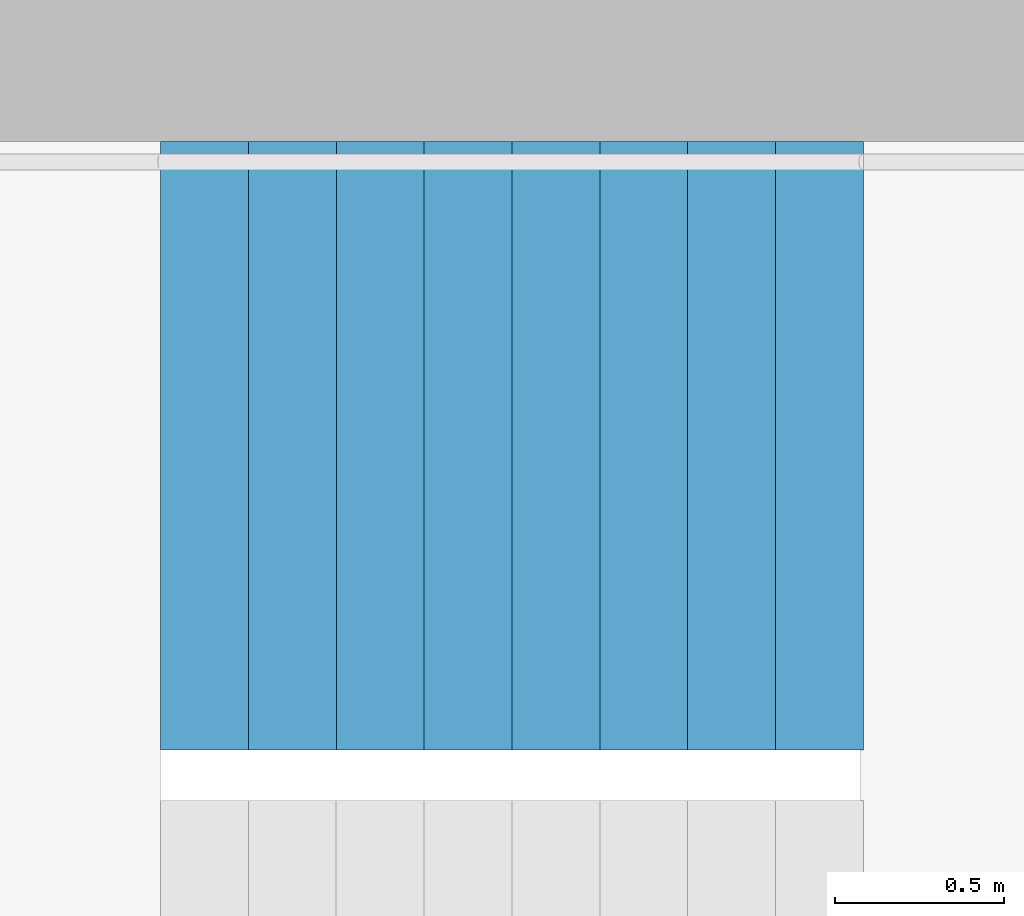
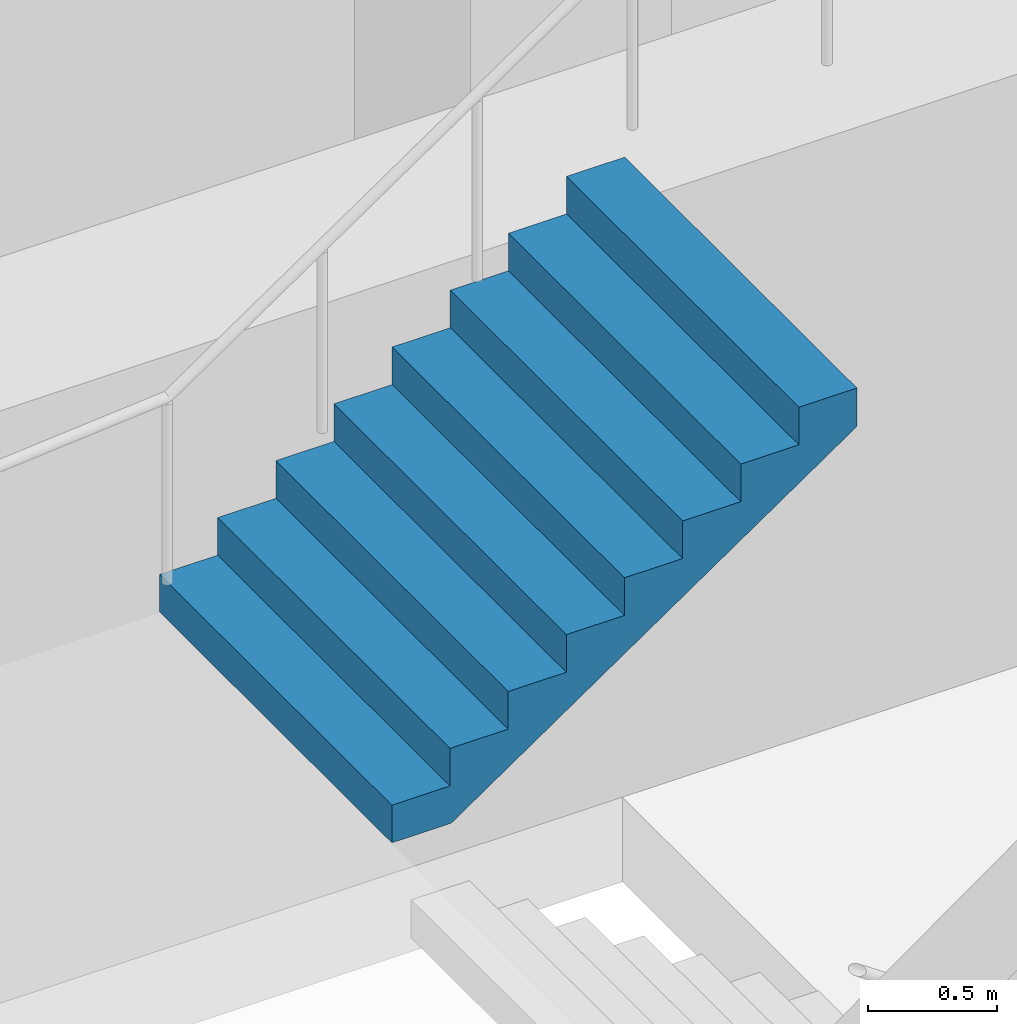
# One storey, part 27 of 34: 1 stair flight, 1 element without a shape of its own.
"""IFC4 building model written with IfcOpenShell, lengths in metres."""

from ifc_helpers import new_model, si_unit, direction, frame, origin, place, context, subcontext, project, spatial, triangles, material, type_object, element, aggregate, save


model = new_model("IFC4")

# Units and contexts
model_context = context("Model", 3, precision=1e-05, world=origin(), true_north=direction((0.0, 1.0)))
body_context = subcontext(model_context, "Body", "Model", "MODEL_VIEW")
ifc_project = project(units=[si_unit("LENGTHUNIT", "METRE"), si_unit("AREAUNIT", "SQUARE_METRE"), si_unit("VOLUMEUNIT", "CUBIC_METRE"), si_unit("PLANEANGLEUNIT", "RADIAN"), si_unit("MASSUNIT", "GRAM", prefix="KILO")], contexts=[model_context])

# Site, building, storey
site_placement = place(None, origin())
site = spatial("IfcSite", under=ifc_project, at=site_placement, CompositionType="ELEMENT")
building_placement = place(site_placement, origin())
building = spatial("IfcBuilding", under=site, at=building_placement, Name="Hakoniwa Tower and Hamabe Station Hall", CompositionType="ELEMENT")
storey_placement = place(building_placement, frame((0.0, 0.0, 107.39990234375)))
storey = spatial("IfcBuildingStorey", under=building, at=storey_placement, Name="L30", CompositionType="ELEMENT", Elevation=107.39990234375)

# Stair, stair flight
ifc_material_1 = material(Name="Concrete C40", Category="concrete")
stair_type = type_object("IfcStairType", Name="ESCAPE STAIR 1800", PredefinedType="HALF_TURN_STAIR", material=ifc_material_1)
stair_placement = place(storey_placement, origin())
stair = element("IfcStair", 1, at=stair_placement, inside=storey, type_object=stair_type, Name="Escape stair ST-3 L30", PredefinedType="HALF_TURN_STAIR")
ifc_material_2 = material(Name="Concrete C40", Category="concrete")
stair_flight_type = type_object("IfcStairFlightType", Name="STAIR FLIGHT 1800", PredefinedType="STRAIGHT", material=ifc_material_2)
stair_flight_placement = place(storey_placement, frame((22.320068359375, 6.60009765625, 1.60009765625), z_axis=(0.0, 0.0, 1.0), x_axis=(1.0, 0.0, 0.0)))
stair_flight = element("IfcStairFlight", 2, at=stair_flight_placement, type_object=stair_flight_type, Name="ST-3 flight 2", NumberOfRisers=9, NumberOfTreads=8, PredefinedType="STRAIGHT", RiserHeight=0.177777778, TreadLength=0.26, context=body_context, shape_type="Tessellation", body=[
    triangles([(0.0, 0.89990234375, 0.0), (0.260009765625, 0.89990234375, 0.0), (0.265625, 0.89990234375, 0.0), (0.52001953125, 0.89990234375, 0.174072265625), (0.780029296875, 0.89990234375, 0.351806640625), (1.0400390625, 0.89990234375, 0.529541015625), (1.300048828125, 0.89990234375, 0.707275390625), (1.56005859375, 0.89990234375, 0.885009765625), (1.820068359375, 0.89990234375, 1.062744140625), (2.080078125, 0.89990234375, 1.24072265625), (2.080078125, 0.89990234375, 1.422119140625), (1.820068359375, 0.89990234375, 1.422119140625), (1.820068359375, 0.89990234375, 1.244384765625), (1.56005859375, 0.89990234375, 1.244384765625), (1.56005859375, 0.89990234375, 1.066650390625), (1.300048828125, 0.89990234375, 1.066650390625), (1.300048828125, 0.89990234375, 0.888916015625), (1.0400390625, 0.89990234375, 0.888916015625), (1.0400390625, 0.89990234375, 0.711181640625), (0.780029296875, 0.89990234375, 0.711181640625), (0.780029296875, 0.89990234375, 0.533447265625), (0.52001953125, 0.89990234375, 0.533447265625), (0.52001953125, 0.89990234375, 0.35546875), (0.265625, 0.89990234375, 0.35546875), (0.260009765625, 0.89990234375, 0.35546875), (0.260009765625, 0.89990234375, 0.177734375), (0.0, 0.89990234375, 0.177734375), (0.0, 0.06005859375, 0.0), (0.260009765625, 0.06005859375, 0.0), (0.265625, 0.06005859375, 0.0), (0.52001953125, 0.06005859375, 0.174072265625), (0.780029296875, 0.06005859375, 0.351806640625), (1.0400390625, 0.06005859375, 0.529541015625), (1.300048828125, 0.06005859375, 0.707275390625), (1.56005859375, 0.06005859375, 0.885009765625), (1.820068359375, 0.06005859375, 1.062744140625), (2.080078125, 0.06005859375, 1.24072265625), (2.080078125, 0.06005859375, 1.422119140625), (1.820068359375, 0.06005859375, 1.422119140625), (1.820068359375, 0.06005859375, 1.244384765625), (1.56005859375, 0.06005859375, 1.244384765625), (1.56005859375, 0.06005859375, 1.066650390625), (1.300048828125, 0.06005859375, 1.066650390625), (1.300048828125, 0.06005859375, 0.888916015625), (1.0400390625, 0.06005859375, 0.888916015625), (1.0400390625, 0.06005859375, 0.711181640625), (0.780029296875, 0.06005859375, 0.711181640625), (0.780029296875, 0.06005859375, 0.533447265625), (0.52001953125, 0.06005859375, 0.533447265625), (0.52001953125, 0.06005859375, 0.35546875), (0.265625, 0.06005859375, 0.35546875), (0.260009765625, 0.06005859375, 0.35546875), (0.260009765625, 0.06005859375, 0.177734375), (0.0, 0.06005859375, 0.177734375), (0.0, 0.04296875, 0.0), (0.260009765625, 0.04296875, 0.0), (0.265625, 0.04296875, 0.0), (0.52001953125, 0.04296875, 0.174072265625), (0.780029296875, 0.04296875, 0.351806640625), (1.0400390625, 0.04296875, 0.529541015625), (1.300048828125, 0.04296875, 0.707275390625), (1.56005859375, 0.04296875, 0.885009765625), (1.820068359375, 0.04296875, 1.062744140625), (2.080078125, 0.04296875, 1.24072265625), (2.080078125, 0.04296875, 1.422119140625), (1.820068359375, 0.04296875, 1.422119140625), (1.820068359375, 0.04296875, 1.244384765625), (1.56005859375, 0.04296875, 1.244384765625), (1.56005859375, 0.04296875, 1.066650390625), (1.300048828125, 0.04296875, 1.066650390625), (1.300048828125, 0.04296875, 0.888916015625), (1.0400390625, 0.04296875, 0.888916015625), (1.0400390625, 0.04296875, 0.711181640625), (0.780029296875, 0.04296875, 0.711181640625), (0.780029296875, 0.04296875, 0.533447265625), (0.52001953125, 0.04296875, 0.533447265625), (0.52001953125, 0.04296875, 0.35546875), (0.265625, 0.04296875, 0.35546875), (0.260009765625, 0.04296875, 0.35546875), (0.260009765625, 0.04296875, 0.177734375), (0.0, 0.04296875, 0.177734375), (0.0, 0.025634765625, 0.0), (0.260009765625, 0.025634765625, 0.0), (0.265625, 0.025634765625, 0.0), (0.52001953125, 0.025634765625, 0.174072265625), (0.780029296875, 0.025634765625, 0.351806640625), (1.0400390625, 0.025634765625, 0.529541015625), (1.300048828125, 0.025634765625, 0.707275390625), (1.56005859375, 0.025634765625, 0.885009765625), (1.820068359375, 0.025634765625, 1.062744140625), (2.080078125, 0.025634765625, 1.24072265625), (2.080078125, 0.025634765625, 1.422119140625), (1.820068359375, 0.025634765625, 1.422119140625), (1.820068359375, 0.025634765625, 1.244384765625), (1.56005859375, 0.025634765625, 1.244384765625), (1.56005859375, 0.025634765625, 1.066650390625), (1.300048828125, 0.025634765625, 1.066650390625), (1.300048828125, 0.025634765625, 0.888916015625), (1.0400390625, 0.025634765625, 0.888916015625), (1.0400390625, 0.025634765625, 0.711181640625), (0.780029296875, 0.025634765625, 0.711181640625), (0.780029296875, 0.025634765625, 0.533447265625), (0.52001953125, 0.025634765625, 0.533447265625), (0.52001953125, 0.025634765625, 0.35546875), (0.265625, 0.025634765625, 0.35546875), (0.260009765625, 0.025634765625, 0.35546875), (0.260009765625, 0.025634765625, 0.177734375), (0.0, 0.025634765625, 0.177734375), (0.0, 0.008544921875, 0.0), (0.260009765625, 0.008544921875, 0.0), (0.265625, 0.008544921875, 0.0), (0.52001953125, 0.008544921875, 0.174072265625), (0.780029296875, 0.008544921875, 0.351806640625), (1.0400390625, 0.008544921875, 0.529541015625), (1.300048828125, 0.008544921875, 0.707275390625), (1.56005859375, 0.008544921875, 0.885009765625), (1.820068359375, 0.008544921875, 1.062744140625), (2.080078125, 0.008544921875, 1.24072265625), (2.080078125, 0.008544921875, 1.422119140625), (1.820068359375, 0.008544921875, 1.422119140625), (1.820068359375, 0.008544921875, 1.244384765625), (1.56005859375, 0.008544921875, 1.244384765625), (1.56005859375, 0.008544921875, 1.066650390625), (1.300048828125, 0.008544921875, 1.066650390625), (1.300048828125, 0.008544921875, 0.888916015625), (1.0400390625, 0.008544921875, 0.888916015625), (1.0400390625, 0.008544921875, 0.711181640625), (0.780029296875, 0.008544921875, 0.711181640625), (0.780029296875, 0.008544921875, 0.533447265625), (0.52001953125, 0.008544921875, 0.533447265625), (0.52001953125, 0.008544921875, 0.35546875), (0.265625, 0.008544921875, 0.35546875), (0.260009765625, 0.008544921875, 0.35546875), (0.260009765625, 0.008544921875, 0.177734375), (0.0, 0.008544921875, 0.177734375), (0.0, -0.008544921875, 0.0), (0.260009765625, -0.008544921875, 0.0), (0.265625, -0.008544921875, 0.0), (0.52001953125, -0.008544921875, 0.174072265625), (0.780029296875, -0.008544921875, 0.351806640625), (1.0400390625, -0.008544921875, 0.529541015625), (1.300048828125, -0.008544921875, 0.707275390625), (1.56005859375, -0.008544921875, 0.885009765625), (1.820068359375, -0.008544921875, 1.062744140625), (2.080078125, -0.008544921875, 1.24072265625), (2.080078125, -0.008544921875, 1.422119140625), (1.820068359375, -0.008544921875, 1.422119140625), (1.820068359375, -0.008544921875, 1.244384765625), (1.56005859375, -0.008544921875, 1.244384765625), (1.56005859375, -0.008544921875, 1.066650390625), (1.300048828125, -0.008544921875, 1.066650390625), (1.300048828125, -0.008544921875, 0.888916015625), (1.0400390625, -0.008544921875, 0.888916015625), (1.0400390625, -0.008544921875, 0.711181640625), (0.780029296875, -0.008544921875, 0.711181640625), (0.780029296875, -0.008544921875, 0.533447265625), (0.52001953125, -0.008544921875, 0.533447265625), (0.52001953125, -0.008544921875, 0.35546875), (0.265625, -0.008544921875, 0.35546875), (0.260009765625, -0.008544921875, 0.35546875), (0.260009765625, -0.008544921875, 0.177734375), (0.0, -0.008544921875, 0.177734375), (0.0, -0.025634765625, 0.0), (0.260009765625, -0.025634765625, 0.0), (0.265625, -0.025634765625, 0.0), (0.52001953125, -0.025634765625, 0.174072265625), (0.780029296875, -0.025634765625, 0.351806640625), (1.0400390625, -0.025634765625, 0.529541015625), (1.300048828125, -0.025634765625, 0.707275390625), (1.56005859375, -0.025634765625, 0.885009765625), (1.820068359375, -0.025634765625, 1.062744140625), (2.080078125, -0.025634765625, 1.24072265625), (2.080078125, -0.025634765625, 1.422119140625), (1.820068359375, -0.025634765625, 1.422119140625), (1.820068359375, -0.025634765625, 1.244384765625), (1.56005859375, -0.025634765625, 1.244384765625), (1.56005859375, -0.025634765625, 1.066650390625), (1.300048828125, -0.025634765625, 1.066650390625), (1.300048828125, -0.025634765625, 0.888916015625), (1.0400390625, -0.025634765625, 0.888916015625), (1.0400390625, -0.025634765625, 0.711181640625), (0.780029296875, -0.025634765625, 0.711181640625), (0.780029296875, -0.025634765625, 0.533447265625), (0.52001953125, -0.025634765625, 0.533447265625), (0.52001953125, -0.025634765625, 0.35546875), (0.265625, -0.025634765625, 0.35546875), (0.260009765625, -0.025634765625, 0.35546875), (0.260009765625, -0.025634765625, 0.177734375), (0.0, -0.025634765625, 0.177734375), (0.0, -0.04296875, 0.0), (0.260009765625, -0.04296875, 0.0), (0.265625, -0.04296875, 0.0), (0.52001953125, -0.04296875, 0.174072265625), (0.780029296875, -0.04296875, 0.351806640625), (1.0400390625, -0.04296875, 0.529541015625), (1.300048828125, -0.04296875, 0.707275390625), (1.56005859375, -0.04296875, 0.885009765625), (1.820068359375, -0.04296875, 1.062744140625), (2.080078125, -0.04296875, 1.24072265625), (2.080078125, -0.04296875, 1.422119140625), (1.820068359375, -0.04296875, 1.422119140625), (1.820068359375, -0.04296875, 1.244384765625), (1.56005859375, -0.04296875, 1.244384765625), (1.56005859375, -0.04296875, 1.066650390625), (1.300048828125, -0.04296875, 1.066650390625), (1.300048828125, -0.04296875, 0.888916015625), (1.0400390625, -0.04296875, 0.888916015625), (1.0400390625, -0.04296875, 0.711181640625), (0.780029296875, -0.04296875, 0.711181640625), (0.780029296875, -0.04296875, 0.533447265625), (0.52001953125, -0.04296875, 0.533447265625), (0.52001953125, -0.04296875, 0.35546875), (0.265625, -0.04296875, 0.35546875), (0.260009765625, -0.04296875, 0.35546875), (0.260009765625, -0.04296875, 0.177734375), (0.0, -0.04296875, 0.177734375), (0.0, -0.06005859375, 0.0), (0.260009765625, -0.06005859375, 0.0), (0.265625, -0.06005859375, 0.0), (0.52001953125, -0.06005859375, 0.174072265625), (0.780029296875, -0.06005859375, 0.351806640625), (1.0400390625, -0.06005859375, 0.529541015625), (1.300048828125, -0.06005859375, 0.707275390625), (1.56005859375, -0.06005859375, 0.885009765625), (1.820068359375, -0.06005859375, 1.062744140625), (2.080078125, -0.06005859375, 1.24072265625), (2.080078125, -0.06005859375, 1.422119140625), (1.820068359375, -0.06005859375, 1.422119140625), (1.820068359375, -0.06005859375, 1.244384765625), (1.56005859375, -0.06005859375, 1.244384765625), (1.56005859375, -0.06005859375, 1.066650390625), (1.300048828125, -0.06005859375, 1.066650390625), (1.300048828125, -0.06005859375, 0.888916015625), (1.0400390625, -0.06005859375, 0.888916015625), (1.0400390625, -0.06005859375, 0.711181640625), (0.780029296875, -0.06005859375, 0.711181640625), (0.780029296875, -0.06005859375, 0.533447265625), (0.52001953125, -0.06005859375, 0.533447265625), (0.52001953125, -0.06005859375, 0.35546875), (0.265625, -0.06005859375, 0.35546875), (0.260009765625, -0.06005859375, 0.35546875), (0.260009765625, -0.06005859375, 0.177734375), (0.0, -0.06005859375, 0.177734375), (0.0, -0.89990234375, 0.0), (0.260009765625, -0.89990234375, 0.0), (0.265625, -0.89990234375, 0.0), (0.52001953125, -0.89990234375, 0.174072265625), (0.780029296875, -0.89990234375, 0.351806640625), (1.0400390625, -0.89990234375, 0.529541015625), (1.300048828125, -0.89990234375, 0.707275390625), (1.56005859375, -0.89990234375, 0.885009765625), (1.820068359375, -0.89990234375, 1.062744140625), (2.080078125, -0.89990234375, 1.24072265625), (2.080078125, -0.89990234375, 1.422119140625), (1.820068359375, -0.89990234375, 1.422119140625), (1.820068359375, -0.89990234375, 1.244384765625), (1.56005859375, -0.89990234375, 1.244384765625), (1.56005859375, -0.89990234375, 1.066650390625), (1.300048828125, -0.89990234375, 1.066650390625), (1.300048828125, -0.89990234375, 0.888916015625), (1.0400390625, -0.89990234375, 0.888916015625), (1.0400390625, -0.89990234375, 0.711181640625), (0.780029296875, -0.89990234375, 0.711181640625), (0.780029296875, -0.89990234375, 0.533447265625), (0.52001953125, -0.89990234375, 0.533447265625), (0.52001953125, -0.89990234375, 0.35546875), (0.265625, -0.89990234375, 0.35546875), (0.260009765625, -0.89990234375, 0.35546875), (0.260009765625, -0.89990234375, 0.177734375), (0.0, -0.89990234375, 0.177734375)], [[2, 27, 26], [245, 269, 270], [2, 1, 27], [245, 270, 244], [3, 25, 24], [246, 267, 268], [3, 26, 25], [246, 268, 269], [3, 2, 26], [246, 269, 245], [4, 24, 23], [247, 266, 267], [4, 3, 24], [247, 267, 246], [5, 22, 21], [248, 264, 265], [5, 23, 22], [248, 265, 266], [5, 4, 23], [248, 266, 247], [6, 20, 19], [249, 262, 263], [6, 21, 20], [249, 263, 264], [6, 5, 21], [249, 264, 248], [7, 18, 17], [250, 260, 261], [7, 19, 18], [250, 261, 262], [7, 6, 19], [250, 262, 249], [8, 16, 15], [251, 258, 259], [8, 17, 16], [251, 259, 260], [8, 7, 17], [251, 260, 250], [9, 14, 13], [252, 256, 257], [9, 15, 14], [252, 257, 258], [9, 8, 15], [252, 258, 251], [10, 12, 11], [253, 254, 255], [10, 13, 12], [253, 255, 256], [10, 9, 13], [253, 256, 252], [1, 2, 29], [1, 29, 28], [28, 29, 56], [28, 56, 55], [55, 56, 83], [55, 83, 82], [82, 83, 110], [82, 110, 109], [109, 110, 137], [109, 137, 136], [136, 137, 164], [136, 164, 163], [163, 164, 191], [163, 191, 190], [190, 191, 218], [190, 218, 217], [217, 218, 245], [217, 245, 244], [2, 3, 30], [2, 30, 29], [29, 30, 57], [29, 57, 56], [56, 57, 84], [56, 84, 83], [83, 84, 111], [83, 111, 110], [110, 111, 138], [110, 138, 137], [137, 138, 165], [137, 165, 164], [164, 165, 192], [164, 192, 191], [191, 192, 219], [191, 219, 218], [218, 219, 246], [218, 246, 245], [3, 4, 31], [3, 31, 30], [30, 31, 58], [30, 58, 57], [57, 58, 85], [57, 85, 84], [84, 85, 112], [84, 112, 111], [111, 112, 139], [111, 139, 138], [138, 139, 166], [138, 166, 165], [165, 166, 193], [165, 193, 192], [192, 193, 220], [192, 220, 219], [219, 220, 247], [219, 247, 246], [4, 5, 32], [4, 32, 31], [31, 32, 59], [31, 59, 58], [58, 59, 86], [58, 86, 85], [85, 86, 113], [85, 113, 112], [112, 113, 140], [112, 140, 139], [139, 140, 167], [139, 167, 166], [166, 167, 194], [166, 194, 193], [193, 194, 221], [193, 221, 220], [220, 221, 248], [220, 248, 247], [5, 6, 33], [5, 33, 32], [32, 33, 60], [32, 60, 59], [59, 60, 87], [59, 87, 86], [86, 87, 114], [86, 114, 113], [113, 114, 141], [113, 141, 140], [140, 141, 168], [140, 168, 167], [167, 168, 195], [167, 195, 194], [194, 195, 222], [194, 222, 221], [221, 222, 249], [221, 249, 248], [6, 7, 34], [6, 34, 33], [33, 34, 61], [33, 61, 60], [60, 61, 88], [60, 88, 87], [87, 88, 115], [87, 115, 114], [114, 115, 142], [114, 142, 141], [141, 142, 169], [141, 169, 168], [168, 169, 196], [168, 196, 195], [195, 196, 223], [195, 223, 222], [222, 223, 250], [222, 250, 249], [7, 8, 35], [7, 35, 34], [34, 35, 62], [34, 62, 61], [61, 62, 89], [61, 89, 88], [88, 89, 116], [88, 116, 115], [115, 116, 143], [115, 143, 142], [142, 143, 170], [142, 170, 169], [169, 170, 197], [169, 197, 196], [196, 197, 224], [196, 224, 223], [223, 224, 251], [223, 251, 250], [8, 9, 36], [8, 36, 35], [35, 36, 63], [35, 63, 62], [62, 63, 90], [62, 90, 89], [89, 90, 117], [89, 117, 116], [116, 117, 144], [116, 144, 143], [143, 144, 171], [143, 171, 170], [170, 171, 198], [170, 198, 197], [197, 198, 225], [197, 225, 224], [224, 225, 252], [224, 252, 251], [9, 10, 37], [9, 37, 36], [36, 37, 64], [36, 64, 63], [63, 64, 91], [63, 91, 90], [90, 91, 118], [90, 118, 117], [117, 118, 145], [117, 145, 144], [144, 145, 172], [144, 172, 171], [171, 172, 199], [171, 199, 198], [198, 199, 226], [198, 226, 225], [225, 226, 253], [225, 253, 252], [10, 11, 38], [10, 38, 37], [37, 38, 65], [37, 65, 64], [64, 65, 92], [64, 92, 91], [91, 92, 119], [91, 119, 118], [118, 119, 146], [118, 146, 145], [145, 146, 173], [145, 173, 172], [172, 173, 200], [172, 200, 199], [199, 200, 227], [199, 227, 226], [226, 227, 254], [226, 254, 253], [11, 12, 39], [11, 39, 38], [38, 39, 66], [38, 66, 65], [65, 66, 93], [65, 93, 92], [92, 93, 120], [92, 120, 119], [119, 120, 147], [119, 147, 146], [146, 147, 174], [146, 174, 173], [173, 174, 201], [173, 201, 200], [200, 201, 228], [200, 228, 227], [227, 228, 255], [227, 255, 254], [12, 13, 40], [12, 40, 39], [39, 40, 67], [39, 67, 66], [66, 67, 94], [66, 94, 93], [93, 94, 121], [93, 121, 120], [120, 121, 148], [120, 148, 147], [147, 148, 175], [147, 175, 174], [174, 175, 202], [174, 202, 201], [201, 202, 229], [201, 229, 228], [228, 229, 256], [228, 256, 255], [13, 14, 41], [13, 41, 40], [40, 41, 68], [40, 68, 67], [67, 68, 95], [67, 95, 94], [94, 95, 122], [94, 122, 121], [121, 122, 149], [121, 149, 148], [148, 149, 176], [148, 176, 175], [175, 176, 203], [175, 203, 202], [202, 203, 230], [202, 230, 229], [229, 230, 257], [229, 257, 256], [14, 15, 42], [14, 42, 41], [41, 42, 69], [41, 69, 68], [68, 69, 96], [68, 96, 95], [95, 96, 123], [95, 123, 122], [122, 123, 150], [122, 150, 149], [149, 150, 177], [149, 177, 176], [176, 177, 204], [176, 204, 203], [203, 204, 231], [203, 231, 230], [230, 231, 258], [230, 258, 257], [15, 16, 43], [15, 43, 42], [42, 43, 70], [42, 70, 69], [69, 70, 97], [69, 97, 96], [96, 97, 124], [96, 124, 123], [123, 124, 151], [123, 151, 150], [150, 151, 178], [150, 178, 177], [177, 178, 205], [177, 205, 204], [204, 205, 232], [204, 232, 231], [231, 232, 259], [231, 259, 258], [16, 17, 44], [16, 44, 43], [43, 44, 71], [43, 71, 70], [70, 71, 98], [70, 98, 97], [97, 98, 125], [97, 125, 124], [124, 125, 152], [124, 152, 151], [151, 152, 179], [151, 179, 178], [178, 179, 206], [178, 206, 205], [205, 206, 233], [205, 233, 232], [232, 233, 260], [232, 260, 259], [17, 18, 45], [17, 45, 44], [44, 45, 72], [44, 72, 71], [71, 72, 99], [71, 99, 98], [98, 99, 126], [98, 126, 125], [125, 126, 153], [125, 153, 152], [152, 153, 180], [152, 180, 179], [179, 180, 207], [179, 207, 206], [206, 207, 234], [206, 234, 233], [233, 234, 261], [233, 261, 260], [18, 19, 46], [18, 46, 45], [45, 46, 73], [45, 73, 72], [72, 73, 100], [72, 100, 99], [99, 100, 127], [99, 127, 126], [126, 127, 154], [126, 154, 153], [153, 154, 181], [153, 181, 180], [180, 181, 208], [180, 208, 207], [207, 208, 235], [207, 235, 234], [234, 235, 262], [234, 262, 261], [19, 20, 47], [19, 47, 46], [46, 47, 74], [46, 74, 73], [73, 74, 101], [73, 101, 100], [100, 101, 128], [100, 128, 127], [127, 128, 155], [127, 155, 154], [154, 155, 182], [154, 182, 181], [181, 182, 209], [181, 209, 208], [208, 209, 236], [208, 236, 235], [235, 236, 263], [235, 263, 262], [20, 21, 48], [20, 48, 47], [47, 48, 75], [47, 75, 74], [74, 75, 102], [74, 102, 101], [101, 102, 129], [101, 129, 128], [128, 129, 156], [128, 156, 155], [155, 156, 183], [155, 183, 182], [182, 183, 210], [182, 210, 209], [209, 210, 237], [209, 237, 236], [236, 237, 264], [236, 264, 263], [21, 22, 49], [21, 49, 48], [48, 49, 76], [48, 76, 75], [75, 76, 103], [75, 103, 102], [102, 103, 130], [102, 130, 129], [129, 130, 157], [129, 157, 156], [156, 157, 184], [156, 184, 183], [183, 184, 211], [183, 211, 210], [210, 211, 238], [210, 238, 237], [237, 238, 265], [237, 265, 264], [22, 23, 50], [22, 50, 49], [49, 50, 77], [49, 77, 76], [76, 77, 104], [76, 104, 103], [103, 104, 131], [103, 131, 130], [130, 131, 158], [130, 158, 157], [157, 158, 185], [157, 185, 184], [184, 185, 212], [184, 212, 211], [211, 212, 239], [211, 239, 238], [238, 239, 266], [238, 266, 265], [23, 24, 51], [23, 51, 50], [50, 51, 78], [50, 78, 77], [77, 78, 105], [77, 105, 104], [104, 105, 132], [104, 132, 131], [131, 132, 159], [131, 159, 158], [158, 159, 186], [158, 186, 185], [185, 186, 213], [185, 213, 212], [212, 213, 240], [212, 240, 239], [239, 240, 267], [239, 267, 266], [24, 25, 52], [24, 52, 51], [51, 52, 79], [51, 79, 78], [78, 79, 106], [78, 106, 105], [105, 106, 133], [105, 133, 132], [132, 133, 160], [132, 160, 159], [159, 160, 187], [159, 187, 186], [186, 187, 214], [186, 214, 213], [213, 214, 241], [213, 241, 240], [240, 241, 268], [240, 268, 267], [25, 26, 53], [25, 53, 52], [52, 53, 80], [52, 80, 79], [79, 80, 107], [79, 107, 106], [106, 107, 134], [106, 134, 133], [133, 134, 161], [133, 161, 160], [160, 161, 188], [160, 188, 187], [187, 188, 215], [187, 215, 214], [214, 215, 242], [214, 242, 241], [241, 242, 269], [241, 269, 268], [26, 27, 54], [26, 54, 53], [53, 54, 81], [53, 81, 80], [80, 81, 108], [80, 108, 107], [107, 108, 135], [107, 135, 134], [134, 135, 162], [134, 162, 161], [161, 162, 189], [161, 189, 188], [188, 189, 216], [188, 216, 215], [215, 216, 243], [215, 243, 242], [242, 243, 270], [242, 270, 269], [27, 1, 28], [27, 28, 54], [54, 28, 55], [54, 55, 81], [81, 55, 82], [81, 82, 108], [108, 82, 109], [108, 109, 135], [135, 109, 136], [135, 136, 162], [162, 136, 163], [162, 163, 189], [189, 163, 190], [189, 190, 216], [216, 190, 217], [216, 217, 243], [243, 217, 244], [243, 244, 270]], closed=True),
])
aggregate(stair, [stair_flight])

save(model, "model.ifc")
